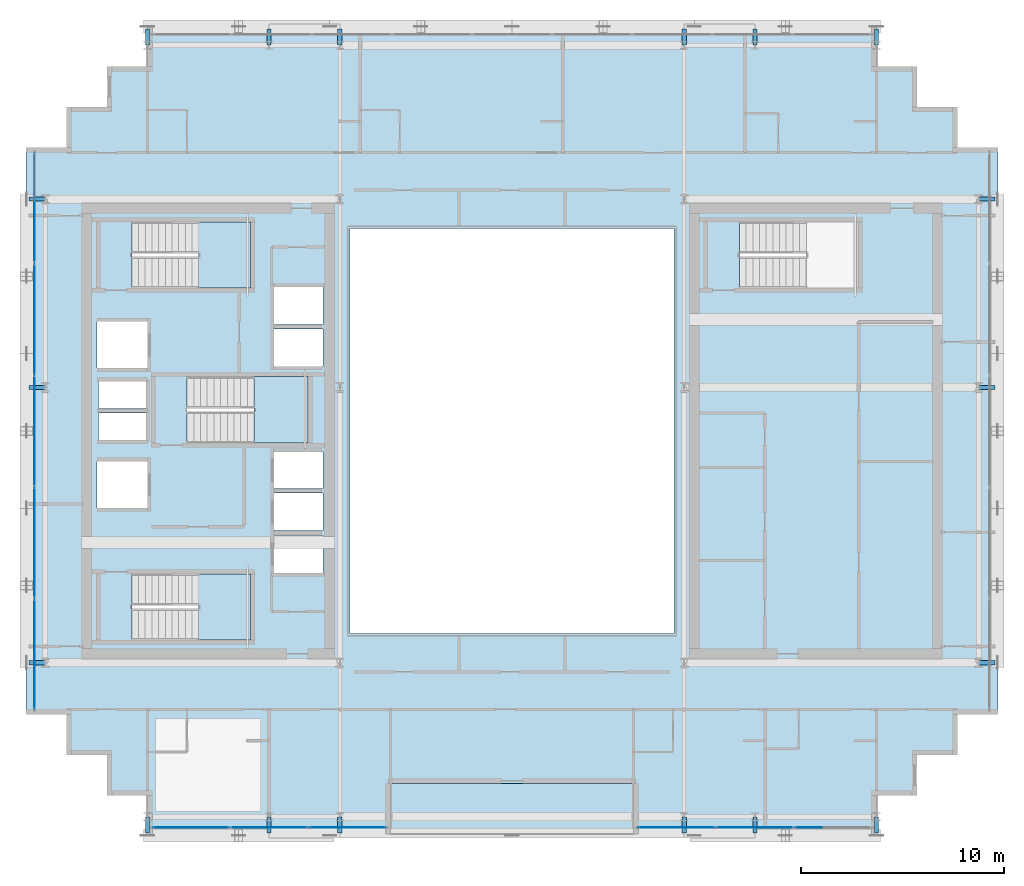
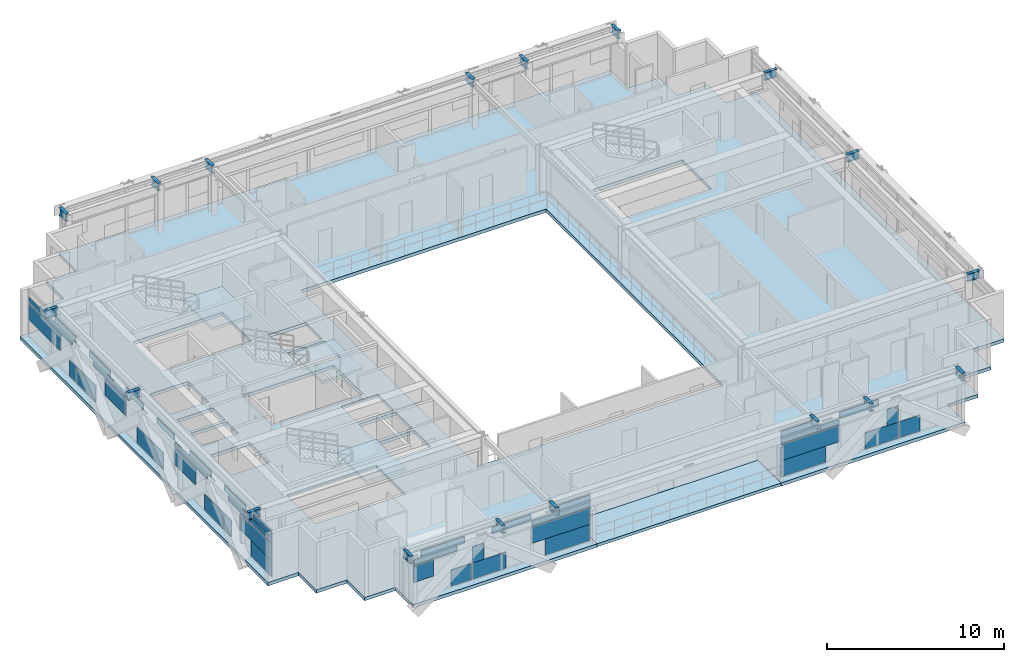
# One storey, part 20 of 32: 40 plates, 18 beams, 5 slabs, 6 elements without a shape of their own.
"""IFC4 building model written with IfcOpenShell, lengths in metres."""

from ifc_helpers import new_model, si_unit, direction, frame, origin, origin_2d, place, context, subcontext, project, spatial, polyline, rectangle, i_section, outline, extrude, source, transform, mapped, material, layer, layer_set, material_profile, profile_set, type_object, element, aggregate, save


model = new_model("IFC4")

# Units and contexts
model_context = context("Model", 3, precision=1e-05, world=origin(), true_north=direction((0.0, 1.0)))
body_context = subcontext(model_context, "Body", "Model", "MODEL_VIEW")
ifc_project = project(units=[si_unit("LENGTHUNIT", "METRE"), si_unit("AREAUNIT", "SQUARE_METRE"), si_unit("VOLUMEUNIT", "CUBIC_METRE"), si_unit("PLANEANGLEUNIT", "RADIAN"), si_unit("MASSUNIT", "GRAM", prefix="KILO")], contexts=[model_context])

# Site, building, storey
site_placement = place(None, origin())
site = spatial("IfcSite", under=ifc_project, at=site_placement, CompositionType="ELEMENT")
building_placement = place(site_placement, origin())
building = spatial("IfcBuilding", under=site, at=building_placement, Name="Ocotamira Hotel", CompositionType="ELEMENT")
storey_placement = place(building_placement, frame((0.0, 0.0, 217.199951171875)))
storey = spatial("IfcBuildingStorey", under=building, at=storey_placement, Name="L55", CompositionType="ELEMENT", Elevation=217.199951171875)

# Beams
ifc_material_1 = material(Name="Steel ASTM A992 Grade 50", Category="steel")
ifc_material_profile = material_profile(ifc_material_1, i_section(OverallWidth=0.2099609375, OverallDepth=0.537109375, WebThickness=0.010986328125, FlangeThickness=0.017333984375, FilletRadius=0.012939453125, at=origin_2d()), Name="W21X68")
ifc_profile_set = profile_set([ifc_material_profile], Name="Steel ASTM A992 Grade 50")
beam_type = type_object("IfcBeamType", Name="BM-SEC-W21X68", PredefinedType="JOIST", material=ifc_profile_set)
shared_shape_1 = source(origin(), body_context, "Body", "SweptSolid", [
    extrude(i_section(OverallWidth=0.2099609375, OverallDepth=0.537109375, WebThickness=0.010986328125, FlangeThickness=0.017333984375, FilletRadius=0.012939453125, at=origin_2d()), origin(), (0.0, 0.0, 1.0), 0.800048828125),
])
for number, where, z_axis, x_axis, name in (
    (1, (14.0, 6.949951171875, 3.011474609375), (0.0, -1.0, 0.0), (1.0, 0.0, 0.0), "L55 South Edge Header X14"),
    (2, (14.0, 45.050048828125, 3.011474609375), (0.0, 1.0, 0.0), (-1.0, 0.0, 0.0), "L55 North Edge Header X14"),
    (3, (20.0, 6.949951171875, 3.011474609375), (0.0, -1.0, 0.0), (1.0, 0.0, 0.0), "L55 South Edge Header X20"),
    (4, (20.0, 45.050048828125, 3.011474609375), (0.0, 1.0, 0.0), (-1.0, 0.0, 0.0), "L55 North Edge Header X20"),
    (5, (23.5, 6.949951171875, 3.011474609375), (0.0, -1.0, 0.0), (1.0, 0.0, 0.0), "L55 South Edge Header X23.5"),
    (6, (23.5, 45.050048828125, 3.011474609375), (0.0, 1.0, 0.0), (-1.0, 0.0, 0.0), "L55 North Edge Header X23.5"),
    (7, (40.5, 6.949951171875, 3.011474609375), (0.0, -1.0, 0.0), (1.0, 0.0, 0.0), "L55 South Edge Header X40.5"),
    (8, (40.5, 45.050048828125, 3.011474609375), (0.0, 1.0, 0.0), (-1.0, 0.0, 0.0), "L55 North Edge Header X40.5"),
    (9, (44.0, 6.949951171875, 3.011474609375), (0.0, -1.0, 0.0), (1.0, 0.0, 0.0), "L55 South Edge Header X44"),
    (10, (44.0, 45.050048828125, 3.011474609375), (0.0, 1.0, 0.0), (-1.0, 0.0, 0.0), "L55 North Edge Header X44"),
    (11, (50.0, 6.949951171875, 3.011474609375), (0.0, -1.0, 0.0), (1.0, 0.0, 0.0), "L55 South Edge Header X50"),
    (12, (50.0, 45.050048828125, 3.011474609375), (0.0, 1.0, 0.0), (-1.0, 0.0, 0.0), "L55 North Edge Header X50"),
    (13, (8.949951171875, 14.550048828125, 3.011474609375), (-1.0, 0.0, 0.0), (0.0, -1.0, 0.0), "L55 West Edge Header Y14.55"),
    (14, (55.050048828125, 14.550048828125, 3.011474609375), (1.0, 0.0, 0.0), (0.0, 1.0, 0.0), "L55 East Edge Header Y14.55"),
    (15, (8.949951171875, 28.14990234375, 3.011474609375), (-1.0, 0.0, 0.0), (0.0, -1.0, 0.0), "L55 West Edge Header Y28.15"),
    (16, (55.050048828125, 28.14990234375, 3.011474609375), (1.0, 0.0, 0.0), (0.0, 1.0, 0.0), "L55 East Edge Header Y28.15"),
    (17, (8.949951171875, 37.449951171875, 3.011474609375), (-1.0, 0.0, 0.0), (0.0, -1.0, 0.0), "L55 West Edge Header Y37.45"),
    (18, (55.050048828125, 37.449951171875, 3.011474609375), (1.0, 0.0, 0.0), (0.0, 1.0, 0.0), "L55 East Edge Header Y37.45"),
):
    element("IfcBeam", number, at=place(storey_placement, frame(where, z_axis=z_axis, x_axis=x_axis)), inside=storey, type_object=beam_type, Name=name, PredefinedType="JOIST", context=body_context, shape_type="MappedRepresentation", body=[
        mapped(shared_shape_1, transform((0.0, 0.0, 0.0), scale=1.0)),
    ])

# Slab
ifc_material_2 = material(Name="Concrete C40/50", Category="concrete")
ifc_layer_1 = layer(ifc_material_2, 0.199951171875)
ifc_layer_set_1 = layer_set([ifc_layer_1], Name="Concrete C40/50")
slab_type_1 = type_object("IfcSlabType", Name="SLB-BAL-200", PredefinedType="FLOOR", material=ifc_layer_set_1)
slab_1_placement = place(storey_placement, frame((0.0, 0.0, -0.199951171875)))
element("IfcSlab", 19, at=slab_1_placement, inside=storey, type_object=slab_type_1, Name="L55 Outdoor Sky Terrace Slab 1", PredefinedType="FLOOR", context=body_context, shape_type="SweptSolid", body=[
    extrude(outline(polyline([(26.0, 6.0), (38.0, 6.0), (38.0, 8.60009765625), (26.0, 8.60009765625), (26.0, 6.0)])), origin(), (0.0, 0.0, 1.0), 0.199951171875),
])

# Stair, slab
stair_type = type_object("IfcStairType", Name="ST-CORE-1560", PredefinedType="HALF_TURN_STAIR", material=ifc_material_2)
stair_1_placement = place(storey_placement, origin())
stair_1 = element("IfcStair", 20, at=stair_1_placement, inside=storey, type_object=stair_type, Name="L55 Exit Stair ST-1", PredefinedType="HALF_TURN_STAIR")
ifc_layer_2 = layer(ifc_material_2, 0.199951171875)
ifc_layer_set_2 = layer_set([ifc_layer_2], Name="Concrete C40/50")
slab_type_2 = type_object("IfcSlabType", Name="SLB-LAND-200", PredefinedType="LANDING", material=ifc_layer_set_2)
slab_2_placement = place(storey_placement, frame((0.0, 0.0, 1.60009765625)))
slab_2 = element("IfcSlab", 21, at=slab_2_placement, type_object=slab_type_2, Name="ST-1 landing 1", PredefinedType="LANDING", context=body_context, shape_type="SweptSolid", body=[
    extrude(outline(polyline([(16.530029296875, 15.669921875), (19.090087890625, 15.669921875), (19.090087890625, 18.949951171875), (16.530029296875, 18.949951171875), (16.530029296875, 15.669921875)])), origin(), (0.0, 0.0, 1.0), 0.199951171875),
])
aggregate(stair_1, [slab_2])

stair_2_placement = place(storey_placement, origin())
stair_2 = element("IfcStair", 22, at=stair_2_placement, inside=storey, type_object=stair_type, Name="L55 Exit Stair ST-2", PredefinedType="HALF_TURN_STAIR")
slab_3_placement = place(storey_placement, frame((0.0, 0.0, 1.60009765625)))
slab_3 = element("IfcSlab", 23, at=slab_3_placement, type_object=slab_type_2, Name="ST-2 landing 1", PredefinedType="LANDING", context=body_context, shape_type="SweptSolid", body=[
    extrude(outline(polyline([(16.530029296875, 33.050048828125), (19.090087890625, 33.050048828125), (19.090087890625, 36.330078125), (16.530029296875, 36.330078125), (16.530029296875, 33.050048828125)])), origin(), (0.0, 0.0, 1.0), 0.199951171875),
])
aggregate(stair_2, [slab_3])

stair_3_placement = place(storey_placement, origin())
stair_3 = element("IfcStair", 24, at=stair_3_placement, inside=storey, type_object=stair_type, Name="L55 Exit Stair ST-3", PredefinedType="HALF_TURN_STAIR")
slab_4_placement = place(storey_placement, frame((0.0, 0.0, 1.60009765625)))
slab_4 = element("IfcSlab", 25, at=slab_4_placement, type_object=slab_type_2, Name="ST-3 landing 1", PredefinedType="LANDING", context=body_context, shape_type="SweptSolid", body=[
    extrude(outline(polyline([(19.260009765625, 25.39990234375), (21.919921875, 25.39990234375), (21.919921875, 28.679931640625), (19.260009765625, 28.679931640625), (19.260009765625, 25.39990234375)])), origin(), (0.0, 0.0, 1.0), 0.199951171875),
])
aggregate(stair_3, [slab_4])

# Slab
ifc_layer_3 = layer(ifc_material_2, 0.22998046875)
ifc_layer_set_3 = layer_set([ifc_layer_3], Name="Concrete C40/50")
slab_type_3 = type_object("IfcSlabType", Name="SLB-Z3-230", PredefinedType="FLOOR", material=ifc_layer_set_3)
slab_5_placement = place(storey_placement, frame((0.0, 0.0, -0.22998046875)))
element("IfcSlab", 26, at=slab_5_placement, inside=storey, type_object=slab_type_3, Name="L55 Structural Floor Slab", PredefinedType="FLOOR", context=body_context, shape_type="SweptSolid", body=[
    extrude(outline(polyline([(14.0, 6.0), (14.0, 8.0), (12.0, 8.0), (12.0, 10.0), (10.0, 10.0), (10.0, 12.0), (8.0, 12.0), (8.0, 40.0), (10.0, 40.0), (10.0, 42.0), (12.0, 42.0), (12.0, 44.0), (14.0, 44.0), (14.0, 46.0), (50.0, 46.0), (50.0, 44.0), (52.0, 44.0), (52.0, 42.0), (54.0, 42.0), (54.0, 40.0), (56.0, 40.0), (56.0, 12.0), (54.0, 12.0), (54.0, 10.0), (52.0, 10.0), (52.0, 8.0), (50.0, 8.0), (50.0, 6.0), (38.0, 6.0), (38.0, 8.60009765625), (26.0, 8.60009765625), (26.0, 6.0), (14.0, 6.0)]), holes=[polyline([(24.0, 16.0), (40.0, 16.0), (40.0, 36.0), (24.0, 36.0), (24.0, 16.0)]), polyline([(13.22998046875, 15.669921875), (19.090087890625, 15.669921875), (19.090087890625, 18.949951171875), (13.22998046875, 18.949951171875), (13.22998046875, 15.669921875)]), polyline([(13.22998046875, 33.050048828125), (19.090087890625, 33.050048828125), (19.090087890625, 36.330078125), (13.22998046875, 36.330078125), (13.22998046875, 33.050048828125)]), polyline([(15.9599609375, 25.39990234375), (21.919921875, 25.39990234375), (21.919921875, 28.679931640625), (15.9599609375, 28.679931640625), (15.9599609375, 25.39990234375)]), polyline([(43.22998046875, 33.050048828125), (49.090087890625, 33.050048828125), (49.090087890625, 36.330078125), (43.22998046875, 36.330078125), (43.22998046875, 33.050048828125)]), polyline([(20.25, 19.0), (22.659912109375, 19.0), (22.659912109375, 20.85009765625), (20.25, 20.85009765625), (20.25, 19.0)]), polyline([(20.25, 21.080078125), (22.659912109375, 21.080078125), (22.659912109375, 22.929931640625), (20.25, 22.929931640625), (20.25, 21.080078125)]), polyline([(20.25, 23.159912109375), (22.659912109375, 23.159912109375), (22.659912109375, 24.9599609375), (20.25, 24.9599609375), (20.25, 23.159912109375)]), polyline([(20.25, 29.179931640625), (22.659912109375, 29.179931640625), (22.659912109375, 31.030029296875), (20.25, 31.030029296875), (20.25, 29.179931640625)]), polyline([(20.25, 31.260009765625), (22.659912109375, 31.260009765625), (22.659912109375, 33.110107421875), (20.25, 33.110107421875), (20.25, 31.260009765625)]), polyline([(11.5, 22.199951171875), (14.0, 22.199951171875), (14.0, 24.5), (11.5, 24.5), (11.5, 22.199951171875)]), polyline([(11.5, 29.10009765625), (14.0, 29.10009765625), (14.0, 31.39990234375), (11.5, 31.39990234375), (11.5, 29.10009765625)]), polyline([(11.580078125, 25.550048828125), (13.919921875, 25.550048828125), (13.919921875, 26.89990234375), (11.580078125, 26.89990234375), (11.580078125, 25.550048828125)]), polyline([(11.580078125, 27.10009765625), (13.919921875, 27.10009765625), (13.919921875, 28.449951171875), (11.580078125, 28.449951171875), (11.580078125, 27.10009765625)])]), origin(), (0.0, 0.0, 1.0), 0.22998046875),
])

# Curtain wall, plate
ifc_material_3 = material(Name="Anodised pale-metal aluminium and solar glass", Category="aluminium")
ifc_layer_4 = layer(ifc_material_3, 0.199951171875)
ifc_layer_set_4 = layer_set([ifc_layer_4], Name="Anodised pale-metal aluminium and solar glass")
curtain_wall_type = type_object("IfcCurtainWallType", Name="CW-SYS4-Z3", PredefinedType="NOTDEFINED", material=ifc_layer_set_4)
curtain_wall_1_placement = place(storey_placement, origin())
curtain_wall_1 = element("IfcCurtainWall", 27, at=curtain_wall_1_placement, inside=storey, type_object=curtain_wall_type, Name="L55 Curtain Wall CW-4 CW-L55-S1", PredefinedType="NOTDEFINED")
ifc_material_4 = material(Name="Double-silver low-E insulated solar glass", Category="glass")
ifc_layer_5 = layer(ifc_material_4, 0.031982421875)
ifc_layer_set_5 = layer_set([ifc_layer_5], Name="Double-silver low-E insulated solar glass")
plate_type = type_object("IfcPlateType", Name="CWP-VISION-32", PredefinedType="CURTAIN_PANEL", material=ifc_layer_set_5)
shared_shape_2 = source(origin(), body_context, "Body", "SweptSolid", [
    extrude(rectangle(XDim=3.76318359375, YDim=0.031982421875, at=origin_2d()), origin(), (0.0, 0.0, 1.0), 1.11865234375),
])
plate_1_placement = place(storey_placement, frame((23.88818359375, 6.419921875, 1.19384765625), z_axis=(0.0, 0.0, 1.0), x_axis=(1.0, 0.0, 0.0)))
plate_1 = element("IfcPlate", 28, at=plate_1_placement, type_object=plate_type, Name="CW-4 panel 3.1.1", PredefinedType="CURTAIN_PANEL", context=body_context, shape_type="MappedRepresentation", body=[
    mapped(shared_shape_2, transform((0.0, 0.0, 0.0), scale=1.0)),
])

curtain_wall_2_placement = place(storey_placement, origin())
curtain_wall_2 = element("IfcCurtainWall", 29, at=curtain_wall_2_placement, inside=storey, type_object=curtain_wall_type, Name="L55 Curtain Wall CW-4 CW-L55-S2", PredefinedType="NOTDEFINED")
plate_2_placement = place(storey_placement, frame((40.11181640625, 6.419921875, 1.19384765625), z_axis=(0.0, 0.0, 1.0), x_axis=(1.0, 0.0, 0.0)))
plate_2 = element("IfcPlate", 30, at=plate_2_placement, type_object=plate_type, Name="CW-4 panel 1.1.2", PredefinedType="CURTAIN_PANEL", context=body_context, shape_type="MappedRepresentation", body=[
    mapped(shared_shape_2, transform((0.0, 0.0, 0.0), scale=1.0)),
])

# Plate
shared_shape_3 = source(origin(), body_context, "Body", "SweptSolid", [
    extrude(rectangle(XDim=1.296875, YDim=0.031982421875, at=origin_2d()), origin(), (0.0, 0.0, 1.0), 1.11865234375),
])
plate_3_placement = place(storey_placement, frame((14.928466796875, 6.419921875, 1.19384765625), z_axis=(0.0, 0.0, 1.0), x_axis=(1.0, 0.0, 0.0)))
plate_3 = element("IfcPlate", 31, at=plate_3_placement, type_object=plate_type, Name="CW-4 panel 1.1.1", PredefinedType="CURTAIN_PANEL", context=body_context, shape_type="MappedRepresentation", body=[
    mapped(shared_shape_3, transform((0.0, 0.0, 0.0), scale=1.0)),
])

shared_shape_4 = source(origin(), body_context, "Body", "SweptSolid", [
    extrude(rectangle(XDim=1.328369140625, YDim=0.031982421875, at=origin_2d()), origin(), (0.0, 0.0, 1.0), 1.118896484375),
])
plate_4_placement = place(storey_placement, frame((17.379150390625, 6.419921875, 0.0751953125), z_axis=(0.0, 0.0, 1.0), x_axis=(1.0, 0.0, 0.0)))
plate_4 = element("IfcPlate", 32, at=plate_4_placement, type_object=plate_type, Name="CW-4 panel 1.1.2", PredefinedType="CURTAIN_PANEL", context=body_context, shape_type="MappedRepresentation", body=[
    mapped(shared_shape_4, transform((0.0, 0.0, 0.0), scale=1.0)),
])

plate_5_placement = place(storey_placement, frame((46.620849609375, 6.419921875, 0.0751953125), z_axis=(0.0, 0.0, 1.0), x_axis=(1.0, 0.0, 0.0)))
plate_5 = element("IfcPlate", 33, at=plate_5_placement, type_object=plate_type, Name="CW-4 panel 3.1.1", PredefinedType="CURTAIN_PANEL", context=body_context, shape_type="MappedRepresentation", body=[
    mapped(shared_shape_4, transform((0.0, 0.0, 0.0), scale=1.0)),
])

shared_shape_5 = source(origin(), body_context, "Body", "SweptSolid", [
    extrude(rectangle(XDim=2.8271484375, YDim=0.031982421875, at=origin_2d()), origin(), (0.0, 0.0, 1.0), 0.35400390625),
])
plate_6_placement = place(storey_placement, frame((15.693603515625, 6.419921875, 2.3876953125), z_axis=(0.0, 0.0, 1.0), x_axis=(1.0, 0.0, 0.0)))
plate_6 = element("IfcPlate", 34, at=plate_6_placement, type_object=plate_type, Name="CW-4 panel 1.2.1", PredefinedType="CURTAIN_PANEL", context=body_context, shape_type="MappedRepresentation", body=[
    mapped(shared_shape_5, transform((0.0, 0.0, 0.0), scale=1.0)),
])

shared_shape_6 = source(origin(), body_context, "Body", "SweptSolid", [
    extrude(rectangle(XDim=2.82080078125, YDim=0.031982421875, at=origin_2d()), origin(), (0.0, 0.0, 1.0), 0.435546875),
])
plate_7_placement = place(storey_placement, frame((16.186279296875, 6.419921875, 2.76953125), z_axis=(0.0, 0.0, 1.0), x_axis=(1.0, 0.0, 0.0)))
plate_7 = element("IfcPlate", 35, at=plate_7_placement, type_object=plate_type, Name="CW-4 panel 1.2.2", PredefinedType="CURTAIN_PANEL", context=body_context, shape_type="MappedRepresentation", body=[
    mapped(shared_shape_6, transform((0.0, 0.0, 0.0), scale=1.0)),
])

shared_shape_7 = source(origin(), body_context, "Body", "SweptSolid", [
    extrude(rectangle(XDim=2.161865234375, YDim=0.031982421875, at=origin_2d()), origin(), (0.0, 0.0, 1.0), 1.118896484375),
])
plate_8_placement = place(storey_placement, frame((19.2041015625, 6.419921875, 0.0751953125), z_axis=(0.0, 0.0, 1.0), x_axis=(1.0, 0.0, 0.0)))
plate_8 = element("IfcPlate", 36, at=plate_8_placement, type_object=plate_type, Name="CW-4 panel 2.1.1", PredefinedType="CURTAIN_PANEL", context=body_context, shape_type="MappedRepresentation", body=[
    mapped(shared_shape_7, transform((0.0, 0.0, 0.0), scale=1.0)),
])

plate_9_placement = place(storey_placement, frame((44.7958984375, 6.419921875, 0.0751953125), z_axis=(0.0, 0.0, 1.0), x_axis=(1.0, 0.0, 0.0)))
plate_9 = element("IfcPlate", 37, at=plate_9_placement, type_object=plate_type, Name="CW-4 panel 2.1.1", PredefinedType="CURTAIN_PANEL", context=body_context, shape_type="MappedRepresentation", body=[
    mapped(shared_shape_7, transform((0.0, 0.0, 0.0), scale=1.0)),
])

shared_shape_8 = source(origin(), body_context, "Body", "SweptSolid", [
    extrude(rectangle(XDim=0.7275390625, YDim=0.031982421875, at=origin_2d()), origin(), (0.0, 0.0, 1.0), 1.11865234375),
])
plate_10_placement = place(storey_placement, frame((18.487060546875, 6.419921875, 1.19384765625), z_axis=(0.0, 0.0, 1.0), x_axis=(1.0, 0.0, 0.0)))
plate_10 = element("IfcPlate", 38, at=plate_10_placement, type_object=plate_type, Name="CW-4 panel 2.1.2", PredefinedType="CURTAIN_PANEL", context=body_context, shape_type="MappedRepresentation", body=[
    mapped(shared_shape_8, transform((0.0, 0.0, 0.0), scale=1.0)),
])

plate_11_placement = place(storey_placement, frame((45.512939453125, 6.419921875, 1.19384765625), z_axis=(0.0, 0.0, 1.0), x_axis=(1.0, 0.0, 0.0)))
plate_11 = element("IfcPlate", 39, at=plate_11_placement, type_object=plate_type, Name="CW-4 panel 2.1.2", PredefinedType="CURTAIN_PANEL", context=body_context, shape_type="MappedRepresentation", body=[
    mapped(shared_shape_8, transform((0.0, 0.0, 0.0), scale=1.0)),
])

shared_shape_9 = source(origin(), body_context, "Body", "SweptSolid", [
    extrude(rectangle(XDim=2.5234375, YDim=0.031982421875, at=origin_2d()), origin(), (0.0, 0.0, 1.0), 0.435546875),
])
plate_12_placement = place(storey_placement, frame((20.664794921875, 6.419921875, 2.76953125), z_axis=(0.0, 0.0, 1.0), x_axis=(1.0, 0.0, 0.0)))
plate_12 = element("IfcPlate", 40, at=plate_12_placement, type_object=plate_type, Name="CW-4 panel 2.2.1", PredefinedType="CURTAIN_PANEL", context=body_context, shape_type="MappedRepresentation", body=[
    mapped(shared_shape_9, transform((0.0, 0.0, 0.0), scale=1.0)),
])

plate_13_placement = place(storey_placement, frame((43.335205078125, 6.419921875, 2.76953125), z_axis=(0.0, 0.0, 1.0), x_axis=(1.0, 0.0, 0.0)))
plate_13 = element("IfcPlate", 41, at=plate_13_placement, type_object=plate_type, Name="CW-4 panel 2.2.1", PredefinedType="CURTAIN_PANEL", context=body_context, shape_type="MappedRepresentation", body=[
    mapped(shared_shape_9, transform((0.0, 0.0, 0.0), scale=1.0)),
])

shared_shape_10 = source(origin(), body_context, "Body", "SweptSolid", [
    extrude(rectangle(XDim=2.91259765625, YDim=0.031982421875, at=origin_2d()), origin(), (0.0, 0.0, 1.0), 1.118896484375),
])
plate_14_placement = place(storey_placement, frame((24.313720703125, 6.419921875, 0.0751953125), z_axis=(0.0, 0.0, 1.0), x_axis=(1.0, 0.0, 0.0)))
plate_14 = element("IfcPlate", 42, at=plate_14_placement, type_object=plate_type, Name="CW-4 panel 3.1.2", PredefinedType="CURTAIN_PANEL", context=body_context, shape_type="MappedRepresentation", body=[
    mapped(shared_shape_10, transform((0.0, 0.0, 0.0), scale=1.0)),
])

plate_15_placement = place(storey_placement, frame((39.686279296875, 6.419921875, 0.0751953125), z_axis=(0.0, 0.0, 1.0), x_axis=(1.0, 0.0, 0.0)))
plate_15 = element("IfcPlate", 43, at=plate_15_placement, type_object=plate_type, Name="CW-4 panel 1.1.1", PredefinedType="CURTAIN_PANEL", context=body_context, shape_type="MappedRepresentation", body=[
    mapped(shared_shape_10, transform((0.0, 0.0, 0.0), scale=1.0)),
])

shared_shape_11 = source(origin(), body_context, "Body", "SweptSolid", [
    extrude(rectangle(XDim=3.76318359375, YDim=0.031982421875, at=origin_2d()), origin(), (0.0, 0.0, 1.0), 0.35400390625),
])
plate_16_placement = place(storey_placement, frame((23.88818359375, 6.419921875, 2.3876953125), z_axis=(0.0, 0.0, 1.0), x_axis=(1.0, 0.0, 0.0)))
plate_16 = element("IfcPlate", 44, at=plate_16_placement, type_object=plate_type, Name="CW-4 panel 3.2.1", PredefinedType="CURTAIN_PANEL", context=body_context, shape_type="MappedRepresentation", body=[
    mapped(shared_shape_11, transform((0.0, 0.0, 0.0), scale=1.0)),
])

plate_17_placement = place(storey_placement, frame((40.11181640625, 6.419921875, 2.3876953125), z_axis=(0.0, 0.0, 1.0), x_axis=(1.0, 0.0, 0.0)))
plate_17 = element("IfcPlate", 45, at=plate_17_placement, type_object=plate_type, Name="CW-4 panel 1.2.1", PredefinedType="CURTAIN_PANEL", context=body_context, shape_type="MappedRepresentation", body=[
    mapped(shared_shape_11, transform((0.0, 0.0, 0.0), scale=1.0)),
])

shared_shape_12 = source(origin(), body_context, "Body", "SweptSolid", [
    extrude(rectangle(XDim=1.994140625, YDim=0.031982421875, at=origin_2d()), origin(), (0.0, 0.0, 1.0), 0.46337890625),
])
plate_18_placement = place(storey_placement, frame((24.77294921875, 6.419921875, 2.74169921875), z_axis=(0.0, 0.0, 1.0), x_axis=(1.0, 0.0, 0.0)))
plate_18 = element("IfcPlate", 46, at=plate_18_placement, type_object=plate_type, Name="CW-4 panel 3.2.2", PredefinedType="CURTAIN_PANEL", context=body_context, shape_type="MappedRepresentation", body=[
    mapped(shared_shape_12, transform((0.0, 0.0, 0.0), scale=1.0)),
])

aggregate(curtain_wall_1, [plate_3, plate_4, plate_6, plate_7, plate_8, plate_10, plate_12, plate_1, plate_14, plate_16, plate_18])

plate_19_placement = place(storey_placement, frame((39.22705078125, 6.419921875, 2.74169921875), z_axis=(0.0, 0.0, 1.0), x_axis=(1.0, 0.0, 0.0)))
plate_19 = element("IfcPlate", 47, at=plate_19_placement, type_object=plate_type, Name="CW-4 panel 1.2.2", PredefinedType="CURTAIN_PANEL", context=body_context, shape_type="MappedRepresentation", body=[
    mapped(shared_shape_12, transform((0.0, 0.0, 0.0), scale=1.0)),
])

aggregate(curtain_wall_2, [plate_15, plate_2, plate_17, plate_19, plate_9, plate_11, plate_13, plate_5])

# Curtain wall, plates
curtain_wall_3_placement = place(storey_placement, origin())
curtain_wall_3 = element("IfcCurtainWall", 48, at=curtain_wall_3_placement, inside=storey, type_object=curtain_wall_type, Name="L55 Curtain Wall CW-4 CW-L55-W", PredefinedType="NOTDEFINED")
shared_shape_13 = source(origin(), body_context, "Body", "SweptSolid", [
    extrude(rectangle(XDim=2.3564453125, YDim=0.031982421875, at=origin_2d()), origin(), (0.0, 0.0, 1.0), 1.118896484375),
])
plate_20_placement = place(storey_placement, frame((8.419921875, 13.458251953125, 0.0751953125), z_axis=(0.0, 0.0, 1.0), x_axis=(0.0, 1.0, 0.0)))
plate_20 = element("IfcPlate", 49, at=plate_20_placement, type_object=plate_type, Name="CW-4 panel 1.1.1", PredefinedType="CURTAIN_PANEL", context=body_context, shape_type="MappedRepresentation", body=[
    mapped(shared_shape_13, transform((0.0, 0.0, 0.0), scale=1.0)),
])
shared_shape_14 = source(origin(), body_context, "Body", "SweptSolid", [
    extrude(rectangle(XDim=3.572998046875, YDim=0.031982421875, at=origin_2d()), origin(), (0.0, 0.0, 1.0), 1.11865234375),
])
plate_21_placement = place(storey_placement, frame((8.419921875, 14.06640625, 1.19384765625), z_axis=(0.0, 0.0, 1.0), x_axis=(0.0, 1.0, 0.0)))
plate_21 = element("IfcPlate", 50, at=plate_21_placement, type_object=plate_type, Name="CW-4 panel 1.1.2", PredefinedType="CURTAIN_PANEL", context=body_context, shape_type="MappedRepresentation", body=[
    mapped(shared_shape_14, transform((0.0, 0.0, 0.0), scale=1.0)),
])
plate_22_placement = place(storey_placement, frame((8.419921875, 37.93359375, 1.19384765625), z_axis=(0.0, 0.0, 1.0), x_axis=(0.0, 1.0, 0.0)))
plate_22 = element("IfcPlate", 51, at=plate_22_placement, type_object=plate_type, Name="CW-4 panel 5.1.2", PredefinedType="CURTAIN_PANEL", context=body_context, shape_type="MappedRepresentation", body=[
    mapped(shared_shape_14, transform((0.0, 0.0, 0.0), scale=1.0)),
])
shared_shape_15 = source(origin(), body_context, "Body", "SweptSolid", [
    extrude(rectangle(XDim=0.79296875, YDim=0.031982421875, at=origin_2d()), origin(), (0.0, 0.0, 1.0), 1.118896484375),
])
plate_23_placement = place(storey_placement, frame((8.419921875, 17.283447265625, 0.0751953125), z_axis=(0.0, 0.0, 1.0), x_axis=(0.0, 1.0, 0.0)))
plate_23 = element("IfcPlate", 52, at=plate_23_placement, type_object=plate_type, Name="CW-4 panel 1.1.3", PredefinedType="CURTAIN_PANEL", context=body_context, shape_type="MappedRepresentation", body=[
    mapped(shared_shape_15, transform((0.0, 0.0, 0.0), scale=1.0)),
])
plate_24_placement = place(storey_placement, frame((8.419921875, 34.716552734375, 0.0751953125), z_axis=(0.0, 0.0, 1.0), x_axis=(0.0, 1.0, 0.0)))
plate_24 = element("IfcPlate", 53, at=plate_24_placement, type_object=plate_type, Name="CW-4 panel 5.1.1", PredefinedType="CURTAIN_PANEL", context=body_context, shape_type="MappedRepresentation", body=[
    mapped(shared_shape_15, transform((0.0, 0.0, 0.0), scale=1.0)),
])
shared_shape_16 = source(origin(), body_context, "Body", "SweptSolid", [
    extrude(rectangle(XDim=4.870849609375, YDim=0.031982421875, at=origin_2d()), origin(), (0.0, 0.0, 1.0), 0.371337890625),
])
plate_25_placement = place(storey_placement, frame((8.419921875, 14.715576171875, 2.3876953125), z_axis=(0.0, 0.0, 1.0), x_axis=(0.0, 1.0, 0.0)))
plate_25 = element("IfcPlate", 54, at=plate_25_placement, type_object=plate_type, Name="CW-4 panel 1.2.1", PredefinedType="CURTAIN_PANEL", context=body_context, shape_type="MappedRepresentation", body=[
    mapped(shared_shape_16, transform((0.0, 0.0, 0.0), scale=1.0)),
])
plate_26_placement = place(storey_placement, frame((8.419921875, 37.284423828125, 2.3876953125), z_axis=(0.0, 0.0, 1.0), x_axis=(0.0, 1.0, 0.0)))
plate_26 = element("IfcPlate", 55, at=plate_26_placement, type_object=plate_type, Name="CW-4 panel 5.2.2", PredefinedType="CURTAIN_PANEL", context=body_context, shape_type="MappedRepresentation", body=[
    mapped(shared_shape_16, transform((0.0, 0.0, 0.0), scale=1.0)),
])
shared_shape_17 = source(origin(), body_context, "Body", "SweptSolid", [
    extrude(rectangle(XDim=2.069580078125, YDim=0.031982421875, at=origin_2d()), origin(), (0.0, 0.0, 1.0), 0.415771484375),
])
plate_27_placement = place(storey_placement, frame((8.419921875, 13.314697265625, 2.78955078125), z_axis=(0.0, 0.0, 1.0), x_axis=(0.0, 1.0, 0.0)))
plate_27 = element("IfcPlate", 56, at=plate_27_placement, type_object=plate_type, Name="CW-4 panel 1.2.2", PredefinedType="CURTAIN_PANEL", context=body_context, shape_type="MappedRepresentation", body=[
    mapped(shared_shape_17, transform((0.0, 0.0, 0.0), scale=1.0)),
])
shared_shape_18 = source(origin(), body_context, "Body", "SweptSolid", [
    extrude(rectangle(XDim=2.3447265625, YDim=0.031982421875, at=origin_2d()), origin(), (0.0, 0.0, 1.0), 0.415771484375),
])
plate_28_placement = place(storey_placement, frame((8.419921875, 16.41552734375, 2.78955078125), z_axis=(0.0, 0.0, 1.0), x_axis=(0.0, 1.0, 0.0)))
plate_28 = element("IfcPlate", 57, at=plate_28_placement, type_object=plate_type, Name="CW-4 panel 1.2.3", PredefinedType="CURTAIN_PANEL", context=body_context, shape_type="MappedRepresentation", body=[
    mapped(shared_shape_18, transform((0.0, 0.0, 0.0), scale=1.0)),
])
plate_29_placement = place(storey_placement, frame((8.419921875, 20.31787109375, 2.78955078125), z_axis=(0.0, 0.0, 1.0), x_axis=(0.0, 1.0, 0.0)))
plate_29 = element("IfcPlate", 58, at=plate_29_placement, type_object=plate_type, Name="CW-4 panel 2.2.1", PredefinedType="CURTAIN_PANEL", context=body_context, shape_type="MappedRepresentation", body=[
    mapped(shared_shape_18, transform((0.0, 0.0, 0.0), scale=1.0)),
])
plate_30_placement = place(storey_placement, frame((8.419921875, 31.68212890625, 2.78955078125), z_axis=(0.0, 0.0, 1.0), x_axis=(0.0, 1.0, 0.0)))
plate_30 = element("IfcPlate", 59, at=plate_30_placement, type_object=plate_type, Name="CW-4 panel 4.2.2", PredefinedType="CURTAIN_PANEL", context=body_context, shape_type="MappedRepresentation", body=[
    mapped(shared_shape_18, transform((0.0, 0.0, 0.0), scale=1.0)),
])
plate_31_placement = place(storey_placement, frame((8.419921875, 35.58447265625, 2.78955078125), z_axis=(0.0, 0.0, 1.0), x_axis=(0.0, 1.0, 0.0)))
plate_31 = element("IfcPlate", 60, at=plate_31_placement, type_object=plate_type, Name="CW-4 panel 5.2.1", PredefinedType="CURTAIN_PANEL", context=body_context, shape_type="MappedRepresentation", body=[
    mapped(shared_shape_18, transform((0.0, 0.0, 0.0), scale=1.0)),
])
shared_shape_19 = source(origin(), body_context, "Body", "SweptSolid", [
    extrude(rectangle(XDim=2.086181640625, YDim=0.031982421875, at=origin_2d()), origin(), (0.0, 0.0, 1.0), 1.118896484375),
])
plate_32_placement = place(storey_placement, frame((8.419921875, 18.802978515625, 0.0751953125), z_axis=(0.0, 0.0, 1.0), x_axis=(0.0, 1.0, 0.0)))
plate_32 = element("IfcPlate", 61, at=plate_32_placement, type_object=plate_type, Name="CW-4 panel 2.1.1", PredefinedType="CURTAIN_PANEL", context=body_context, shape_type="MappedRepresentation", body=[
    mapped(shared_shape_19, transform((0.0, 0.0, 0.0), scale=1.0)),
])
plate_33_placement = place(storey_placement, frame((8.419921875, 33.197021484375, 0.0751953125), z_axis=(0.0, 0.0, 1.0), x_axis=(0.0, 1.0, 0.0)))
plate_33 = element("IfcPlate", 62, at=plate_33_placement, type_object=plate_type, Name="CW-4 panel 4.1.2", PredefinedType="CURTAIN_PANEL", context=body_context, shape_type="MappedRepresentation", body=[
    mapped(shared_shape_19, transform((0.0, 0.0, 0.0), scale=1.0)),
])
shared_shape_20 = source(origin(), body_context, "Body", "SweptSolid", [
    extrude(rectangle(XDim=2.319580078125, YDim=0.031982421875, at=origin_2d()), origin(), (0.0, 0.0, 1.0), 1.11865234375),
])
plate_34_placement = place(storey_placement, frame((8.419921875, 22.040283203125, 1.19384765625), z_axis=(0.0, 0.0, 1.0), x_axis=(0.0, 1.0, 0.0)))
plate_34 = element("IfcPlate", 63, at=plate_34_placement, type_object=plate_type, Name="CW-4 panel 2.1.2", PredefinedType="CURTAIN_PANEL", context=body_context, shape_type="MappedRepresentation", body=[
    mapped(shared_shape_20, transform((0.0, 0.0, 0.0), scale=1.0)),
])
plate_35_placement = place(storey_placement, frame((8.419921875, 29.959716796875, 1.19384765625), z_axis=(0.0, 0.0, 1.0), x_axis=(0.0, 1.0, 0.0)))
plate_35 = element("IfcPlate", 64, at=plate_35_placement, type_object=plate_type, Name="CW-4 panel 4.1.1", PredefinedType="CURTAIN_PANEL", context=body_context, shape_type="MappedRepresentation", body=[
    mapped(shared_shape_20, transform((0.0, 0.0, 0.0), scale=1.0)),
])
shared_shape_21 = source(origin(), body_context, "Body", "SweptSolid", [
    extrude(rectangle(XDim=3.61767578125, YDim=0.031982421875, at=origin_2d()), origin(), (0.0, 0.0, 1.0), 0.371337890625),
])
plate_36_placement = place(storey_placement, frame((8.419921875, 21.39111328125, 2.3876953125), z_axis=(0.0, 0.0, 1.0), x_axis=(0.0, 1.0, 0.0)))
plate_36 = element("IfcPlate", 65, at=plate_36_placement, type_object=plate_type, Name="CW-4 panel 2.2.2", PredefinedType="CURTAIN_PANEL", context=body_context, shape_type="MappedRepresentation", body=[
    mapped(shared_shape_21, transform((0.0, 0.0, 0.0), scale=1.0)),
])
plate_37_placement = place(storey_placement, frame((8.419921875, 30.60888671875, 2.3876953125), z_axis=(0.0, 0.0, 1.0), x_axis=(0.0, 1.0, 0.0)))
plate_37 = element("IfcPlate", 66, at=plate_37_placement, type_object=plate_type, Name="CW-4 panel 4.2.1", PredefinedType="CURTAIN_PANEL", context=body_context, shape_type="MappedRepresentation", body=[
    mapped(shared_shape_21, transform((0.0, 0.0, 0.0), scale=1.0)),
])
shared_shape_22 = source(origin(), body_context, "Body", "SweptSolid", [
    extrude(rectangle(XDim=2.959228515625, YDim=0.031982421875, at=origin_2d()), origin(), (0.0, 0.0, 1.0), 1.118896484375),
])
plate_38_placement = place(storey_placement, frame((8.419921875, 26.0, 0.0751953125), z_axis=(0.0, 0.0, 1.0), x_axis=(0.0, 1.0, 0.0)))
plate_38 = element("IfcPlate", 67, at=plate_38_placement, type_object=plate_type, Name="CW-4 panel 3.1.1", PredefinedType="CURTAIN_PANEL", context=body_context, shape_type="MappedRepresentation", body=[
    mapped(shared_shape_22, transform((0.0, 0.0, 0.0), scale=1.0)),
])
shared_shape_23 = source(origin(), body_context, "Body", "SweptSolid", [
    extrude(rectangle(XDim=1.941162109375, YDim=0.031982421875, at=origin_2d()), origin(), (0.0, 0.0, 1.0), 0.415771484375),
])
plate_39_placement = place(storey_placement, frame((8.419921875, 24.25048828125, 2.78955078125), z_axis=(0.0, 0.0, 1.0), x_axis=(0.0, 1.0, 0.0)))
plate_39 = element("IfcPlate", 68, at=plate_39_placement, type_object=plate_type, Name="CW-4 panel 3.2.1", PredefinedType="CURTAIN_PANEL", context=body_context, shape_type="MappedRepresentation", body=[
    mapped(shared_shape_23, transform((0.0, 0.0, 0.0), scale=1.0)),
])
plate_40_placement = place(storey_placement, frame((8.419921875, 27.74951171875, 2.78955078125), z_axis=(0.0, 0.0, 1.0), x_axis=(0.0, 1.0, 0.0)))
plate_40 = element("IfcPlate", 69, at=plate_40_placement, type_object=plate_type, Name="CW-4 panel 3.2.2", PredefinedType="CURTAIN_PANEL", context=body_context, shape_type="MappedRepresentation", body=[
    mapped(shared_shape_23, transform((0.0, 0.0, 0.0), scale=1.0)),
])
aggregate(curtain_wall_3, [plate_20, plate_21, plate_23, plate_25, plate_27, plate_28, plate_32, plate_34, plate_29, plate_36, plate_38, plate_39, plate_40, plate_35, plate_33, plate_37, plate_30, plate_24, plate_22, plate_31, plate_26])

save(model, "model.ifc")
